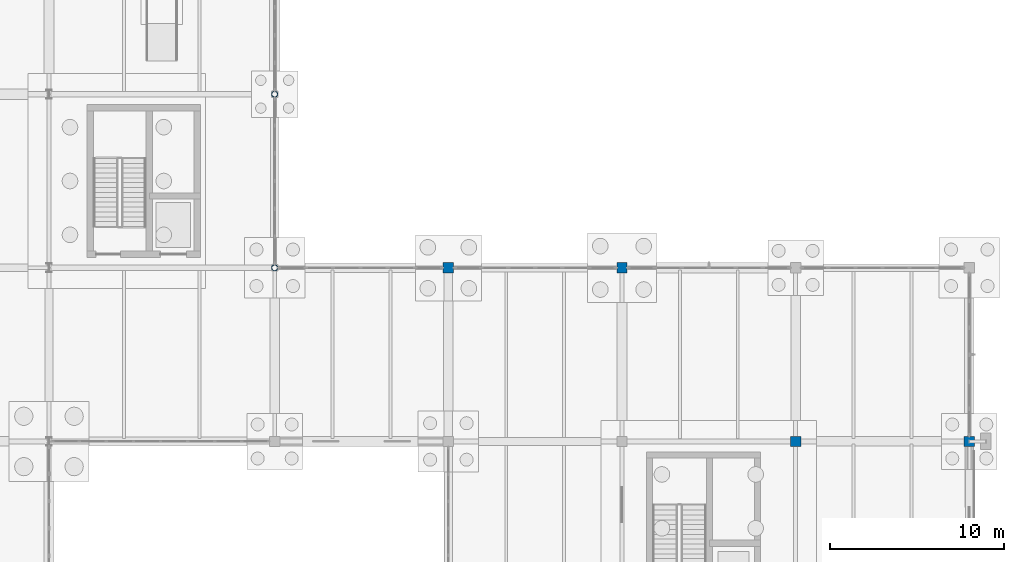
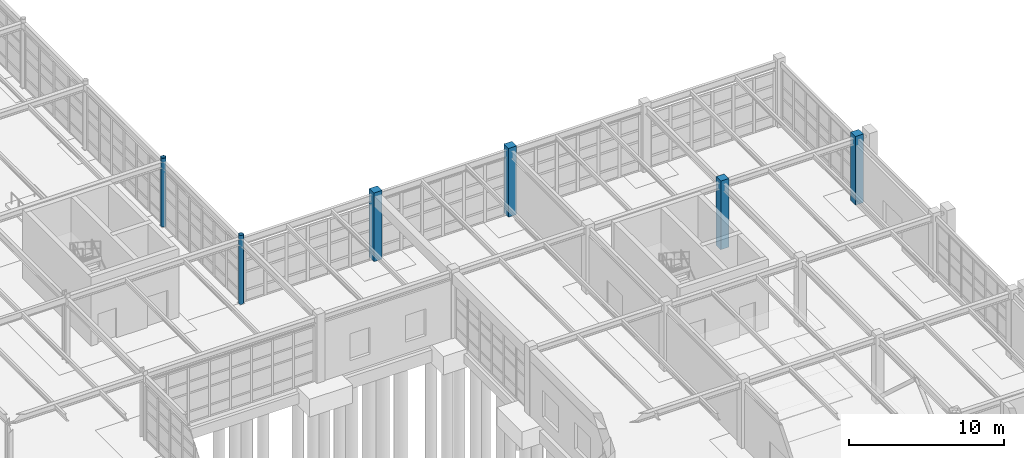
# One storey, part 28 of 145: 6 columns.
"""IFC4 building model written with IfcOpenShell, lengths in metres."""

from ifc_helpers import new_model, si_unit, direction, frame, origin, origin_2d, place, context, subcontext, project, spatial, rectangle, hollow_circle, extrude, material, material_profile, profile_set, type_object, element, save


model = new_model("IFC4")

# Units and contexts
model_context = context("Model", 3, precision=1e-05, world=origin(), true_north=direction((0.0, 1.0)))
body_context = subcontext(model_context, "Body", "Model", "MODEL_VIEW")
ifc_project = project(units=[si_unit("LENGTHUNIT", "METRE"), si_unit("AREAUNIT", "SQUARE_METRE"), si_unit("VOLUMEUNIT", "CUBIC_METRE"), si_unit("PLANEANGLEUNIT", "RADIAN"), si_unit("MASSUNIT", "GRAM", prefix="KILO"), si_unit("THERMODYNAMICTEMPERATUREUNIT", "KELVIN"), si_unit("POWERUNIT", "WATT")], contexts=[model_context])

# Site, building, storey
site_placement = place(None, origin())
site = spatial("IfcSite", under=ifc_project, at=site_placement, CompositionType="ELEMENT")
building_placement = place(site_placement, origin())
building = spatial("IfcBuilding", under=site, at=building_placement, Name="Korenveer Ferry Terminal", CompositionType="ELEMENT")
storey_placement = place(building_placement, origin())
storey = spatial("IfcBuildingStorey", under=building, at=storey_placement, Name="L00", CompositionType="ELEMENT", Elevation=0.0)

# Columns
ifc_material_1 = material(Name="Steel S355", Category="steel")
ifc_material_profile_1 = material_profile(ifc_material_1, hollow_circle(Radius=0.177734375, WallThickness=0.01611328125, at=origin_2d()), Name="CHS 355.6x16")
ifc_profile_set_1 = profile_set([ifc_material_profile_1], Name="Steel S355")
column_type_1 = type_object("IfcColumnType", Name="STR-COL-CHS355", PredefinedType="COLUMN", material=ifc_profile_set_1)
for number, where, z_axis, x_axis, name in (
    (1, (136.0, 80.0, 0.0), (0.0, 0.0, 1.0), (1.0, 0.0, 0.0), "Column COL-L00-X136-Y80"),
    (2, (136.0, 90.0, 0.0), (0.0, 0.0, 1.0), (1.0, 0.0, 0.0), "Column COL-L00-X136-Y90"),
):
    element("IfcColumn", number, at=place(storey_placement, frame(where, z_axis=z_axis, x_axis=x_axis)), inside=storey, type_object=column_type_1, Name=name, PredefinedType="COLUMN", context=body_context, shape_type="SweptSolid", body=[
        extrude(hollow_circle(Radius=0.177734375, WallThickness=0.01611328125, at=origin_2d()), origin(), (0.0, 0.0, 1.0), 5.39990234375),
    ])
ifc_material_2 = material(Name="Concrete C45/55", Category="concrete")
ifc_material_profile_2 = material_profile(ifc_material_2, rectangle(XDim=0.60009765625, YDim=0.60009765625, at=origin_2d()), Name="RC 600x600")
ifc_profile_set_2 = profile_set([ifc_material_profile_2], Name="Concrete C45/55")
column_type_2 = type_object("IfcColumnType", Name="STR-COL-RC600", PredefinedType="COLUMN", material=ifc_profile_set_2)
for number, where, z_axis, x_axis, name in (
    (3, (146.0, 80.0, 0.0), (0.0, 0.0, 1.0), (1.0, 0.0, 0.0), "Column COL-L00-X146-Y80"),
    (4, (156.0, 80.0, 0.0), (0.0, 0.0, 1.0), (1.0, 0.0, 0.0), "Column COL-L00-X156-Y80"),
    (5, (166.0, 70.0, 0.0), (0.0, 0.0, 1.0), (1.0, 0.0, 0.0), "Column COL-L00-X166-Y70"),
    (6, (176.0, 70.0, 0.0), (0.0, 0.0, 1.0), (1.0, 0.0, 0.0), "Column COL-L00-X176-Y70"),
):
    element("IfcColumn", number, at=place(storey_placement, frame(where, z_axis=z_axis, x_axis=x_axis)), inside=storey, type_object=column_type_2, Name=name, PredefinedType="COLUMN", context=body_context, shape_type="SweptSolid", body=[
        extrude(rectangle(XDim=0.60009765625, YDim=0.60009765625, at=origin_2d()), origin(), (0.0, 0.0, 1.0), 5.39990234375),
    ])

save(model, "model.ifc")
